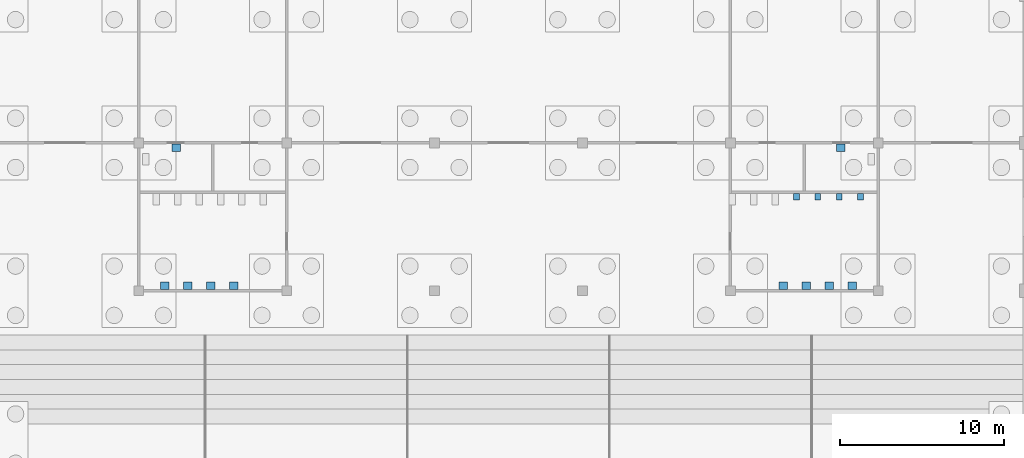
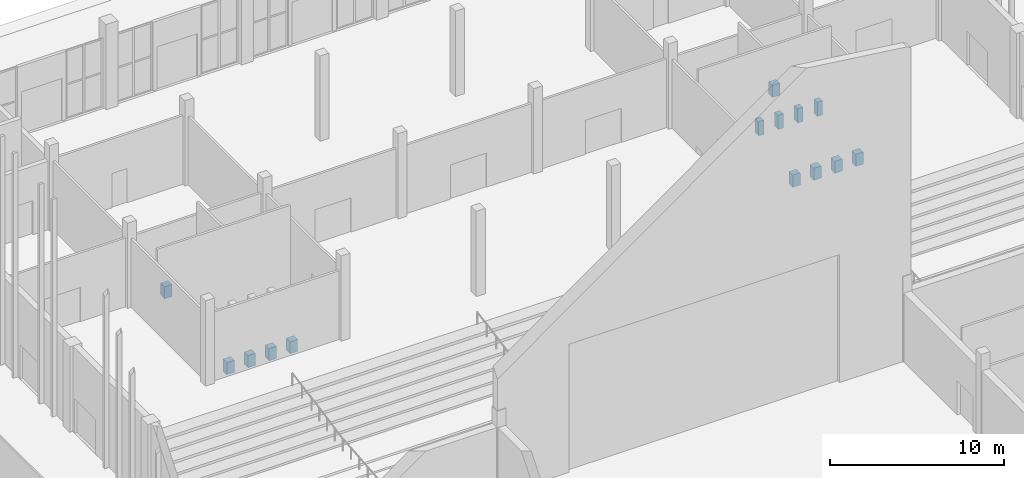
# One storey, part 113 of 198: 14 discrete accessories.
"""IFC4 building model written with IfcOpenShell, lengths in metres."""

from ifc_helpers import new_model, si_unit, direction, frame, origin, origin_2d, place, context, subcontext, project, spatial, rectangle, extrude, material, type_object, element, save


model = new_model("IFC4")

# Units and contexts
model_context = context("Model", 3, precision=1e-05, world=origin(), true_north=direction((0.0, 1.0)))
body_context = subcontext(model_context, "Body", "Model", "MODEL_VIEW")
ifc_project = project(units=[si_unit("LENGTHUNIT", "METRE"), si_unit("AREAUNIT", "SQUARE_METRE"), si_unit("VOLUMEUNIT", "CUBIC_METRE"), si_unit("PLANEANGLEUNIT", "RADIAN"), si_unit("MASSUNIT", "GRAM", prefix="KILO")], contexts=[model_context])

# Site, building, storey
site_placement = place(None, origin())
site = spatial("IfcSite", under=ifc_project, at=site_placement, CompositionType="ELEMENT")
building_placement = place(site_placement, origin())
building = spatial("IfcBuilding", under=site, at=building_placement, Name="Opaline Strait Convention Centre", CompositionType="ELEMENT")
storey_placement = place(building_placement, origin())
storey = spatial("IfcBuildingStorey", under=building, at=storey_placement, Name="L00", CompositionType="ELEMENT", Elevation=0.0)

# Discrete accessories
ifc_material = material(Name="Vitreous china, white")
discrete_accessory_type_1 = type_object("IfcDiscreteAccessoryType", Name="Urinal 350 x 400", PredefinedType="USERDEFINED", material=ifc_material)
for number, where, z_axis, x_axis, name in (
    (1, (61.925048828125, 158.72509765625, 0.0), (0.0, 0.0, 1.0), (1.0, 0.0, 0.0), "PFX2 urinal 01"),
    (2, (60.625, 158.72509765625, 0.0), (0.0, 0.0, 1.0), (1.0, 0.0, 0.0), "PFX2 urinal 02"),
    (3, (59.324951171875, 158.72509765625, 0.0), (0.0, 0.0, 1.0), (1.0, 0.0, 0.0), "PFX2 urinal 03"),
    (4, (58.02490234375, 158.72509765625, 0.0), (0.0, 0.0, 1.0), (1.0, 0.0, 0.0), "PFX2 urinal 04"),
):
    element("IfcDiscreteAccessory", number, at=place(storey_placement, frame(where, z_axis=z_axis, x_axis=x_axis)), inside=storey, type_object=discrete_accessory_type_1, Name=name, ObjectType="SANITARY FITTING", PredefinedType="USERDEFINED", context=body_context, shape_type="SweptSolid", body=[
        extrude(rectangle(XDim=0.35009765625, YDim=0.39990234375, at=origin_2d()), origin(), (0.0, 0.0, 1.0), 1.0),
    ])
discrete_accessory_type_2 = type_object("IfcDiscreteAccessoryType", Name="Wash basin 500 x 450", PredefinedType="USERDEFINED", material=ifc_material)
for number, where, z_axis, x_axis, name in (
    (5, (19.574951171875, 153.300048828125, 0.0), (0.0, 0.0, 1.0), (1.0, 0.0, 0.0), "PFX3 wash B1"),
    (6, (20.97509765625, 153.300048828125, 0.0), (0.0, 0.0, 1.0), (1.0, 0.0, 0.0), "PFX3 wash B2"),
    (7, (22.375, 153.300048828125, 0.0), (0.0, 0.0, 1.0), (1.0, 0.0, 0.0), "PFX3 wash B3"),
    (8, (23.77490234375, 153.300048828125, 0.0), (0.0, 0.0, 1.0), (1.0, 0.0, 0.0), "PFX3 wash B4"),
    (9, (20.27490234375, 161.699951171875, 0.0), (0.0, 0.0, 1.0), (1.0, 0.0, 0.0), "PFX3 wash A2"),
    (10, (61.425048828125, 153.300048828125, 0.0), (0.0, 0.0, 1.0), (1.0, 0.0, 0.0), "PFX3 wash B1"),
    (11, (60.02490234375, 153.300048828125, 0.0), (0.0, 0.0, 1.0), (1.0, 0.0, 0.0), "PFX3 wash B2"),
    (12, (58.625, 153.300048828125, 0.0), (0.0, 0.0, 1.0), (1.0, 0.0, 0.0), "PFX3 wash B3"),
    (13, (57.22509765625, 153.300048828125, 0.0), (0.0, 0.0, 1.0), (1.0, 0.0, 0.0), "PFX3 wash B4"),
    (14, (60.72509765625, 161.699951171875, 0.0), (0.0, 0.0, 1.0), (1.0, 0.0, 0.0), "PFX3 wash A2"),
):
    element("IfcDiscreteAccessory", number, at=place(storey_placement, frame(where, z_axis=z_axis, x_axis=x_axis)), inside=storey, type_object=discrete_accessory_type_2, Name=name, ObjectType="SANITARY FITTING", PredefinedType="USERDEFINED", context=body_context, shape_type="SweptSolid", body=[
        extrude(rectangle(XDim=0.5, YDim=0.449951171875, at=origin_2d()), origin(), (0.0, 0.0, 1.0), 0.85009765625),
    ])

save(model, "model.ifc")
